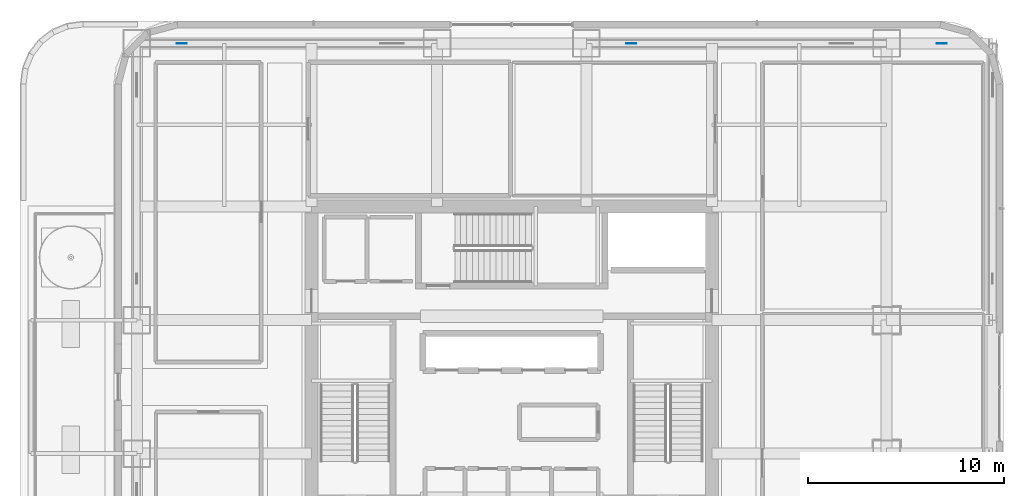
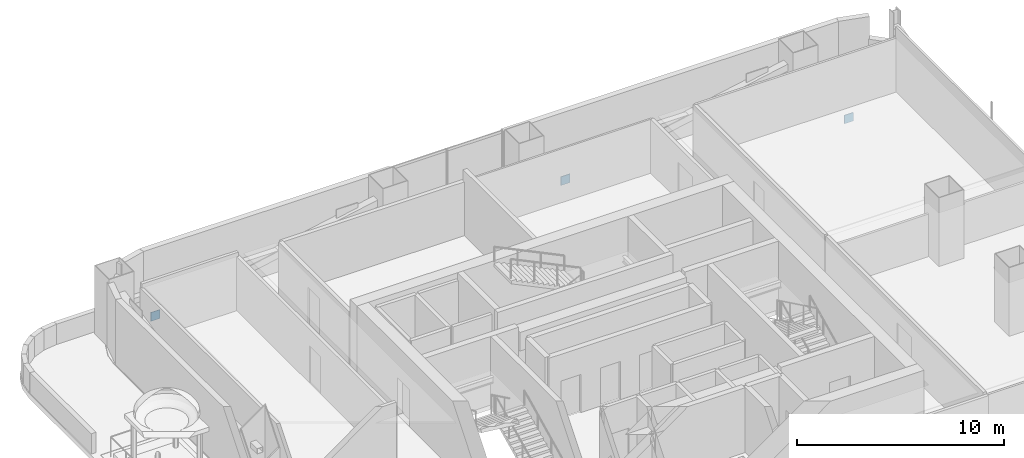
# One storey, part 10 of 27: 3 plates.
"""IFC4 building model written with IfcOpenShell, lengths in metres."""

from ifc_helpers import new_model, si_unit, direction, frame, origin, origin_2d, place, context, subcontext, project, spatial, rectangle, extrude, material, layer, layer_set, type_object, element, save


model = new_model("IFC4")

# Units and contexts
model_context = context("Model", 3, precision=1e-05, world=origin(), true_north=direction((0.0, 1.0)))
body_context = subcontext(model_context, "Body", "Model", "MODEL_VIEW")
ifc_project = project(units=[si_unit("LENGTHUNIT", "METRE"), si_unit("AREAUNIT", "SQUARE_METRE"), si_unit("VOLUMEUNIT", "CUBIC_METRE"), si_unit("PLANEANGLEUNIT", "RADIAN"), si_unit("MASSUNIT", "GRAM", prefix="KILO")], contexts=[model_context])

# Site, building, storey
site_placement = place(None, origin())
site = spatial("IfcSite", under=ifc_project, at=site_placement, CompositionType="ELEMENT")
building_placement = place(site_placement, origin())
building = spatial("IfcBuilding", under=site, at=building_placement, Name="Punatoya Terracotta Tower", CompositionType="ELEMENT")
storey_placement = place(building_placement, frame((0.0, 0.0, 204.60009765625)))
storey = spatial("IfcBuildingStorey", under=building, at=storey_placement, Name="L48", CompositionType="ELEMENT", Elevation=204.60009765625)

# Plates
ifc_material = material(Name="Steel S460", Category="steel")
ifc_layer = layer(ifc_material, 0.031982421875)
ifc_layer_set = layer_set([ifc_layer], Name="Steel S460")
plate_type = type_object("IfcPlateType", Name="PLT-END-32", PredefinedType="USERDEFINED", material=ifc_layer_set)
for number, where, z_axis, x_axis, name in (
    (1, (-16.804931640625, 17.5, 0.21142578125), (0.0, 0.0, 1.0), (1.0, 0.0, 0.0), "L48 Exoskeleton Base Node Plate N1"),
    (2, (6.094970703125, 17.5, 0.21142578125), (0.0, 0.0, 1.0), (1.0, 0.0, 0.0), "L48 Exoskeleton Base Node Plate N3"),
):
    element("IfcPlate", number, at=place(storey_placement, frame(where, z_axis=z_axis, x_axis=x_axis)), inside=storey, type_object=plate_type, Name=name, ObjectType="FLANGE_PLATE", PredefinedType="USERDEFINED", context=body_context, shape_type="SweptSolid", body=[
        extrude(rectangle(XDim=0.52001953125, YDim=0.031982421875, at=origin_2d()), origin(), (0.0, 0.0, 1.0), 0.52001953125),
    ])
plate_placement = place(storey_placement, frame((21.916015625, 17.5, -1.68408203125), z_axis=(0.0, 0.0, 1.0), x_axis=(1.0, 0.0, 0.0)))
element("IfcPlate", 3, at=plate_placement, inside=storey, type_object=plate_type, Name="L48 Knee-Strut Upper End Cap Plate E2", ObjectType="FLANGE_PLATE", PredefinedType="USERDEFINED", context=body_context, shape_type="SweptSolid", body=[
    extrude(rectangle(XDim=0.5, YDim=0.031982421875, at=origin_2d()), origin(), (0.0, 0.0, 1.0), 0.5),
])

save(model, "model.ifc")
